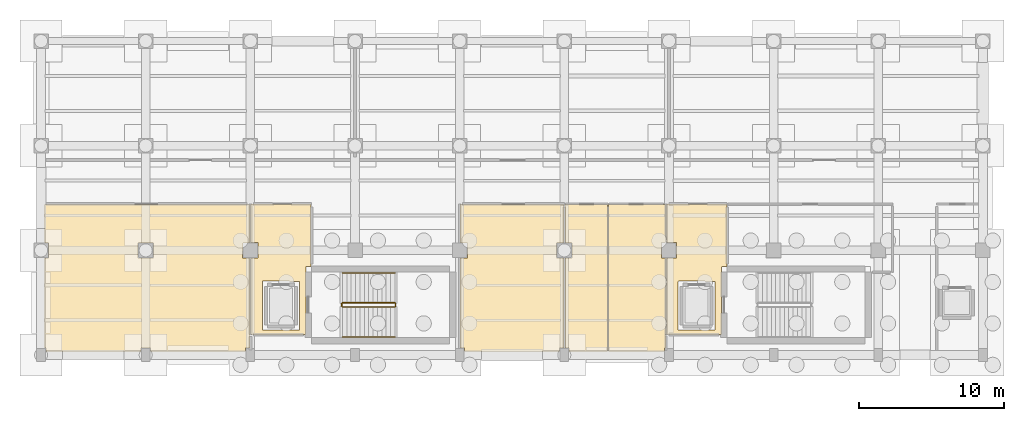
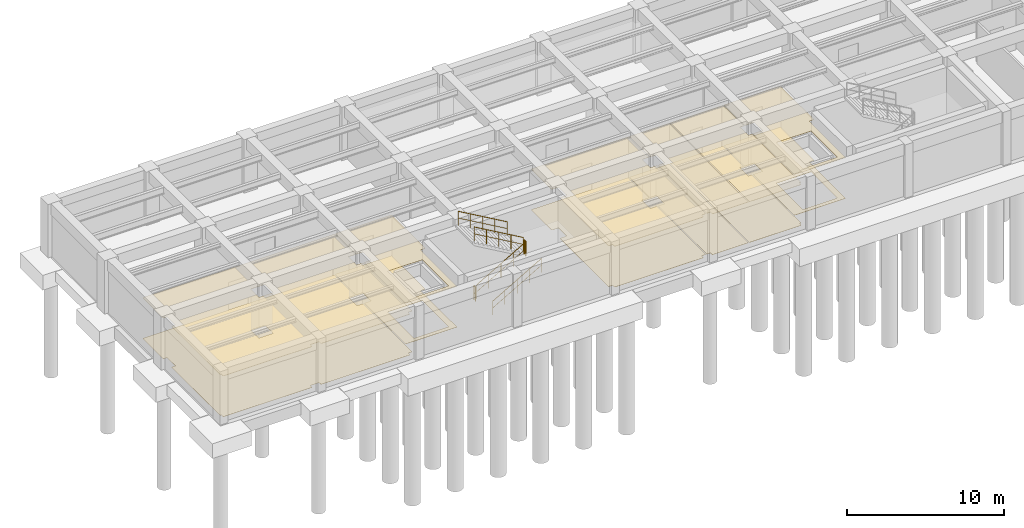
# One storey, part 6 of 8: 12 coverings, 6 railings.
"""IFC4 building model written with IfcOpenShell, lengths in metres."""

from ifc_helpers import new_model, si_unit, direction, frame, origin, origin_2d, place, context, subcontext, project, spatial, polyline, circle, outline, extrude, material, layer, layer_set, type_object, element, save


model = new_model("IFC4")

# Units and contexts
model_context = context("Model", 3, precision=1e-05, world=origin(), true_north=direction((0.0, 1.0)))
body_context = subcontext(model_context, "Body", "Model", "MODEL_VIEW")
ifc_project = project(units=[si_unit("LENGTHUNIT", "METRE"), si_unit("AREAUNIT", "SQUARE_METRE"), si_unit("VOLUMEUNIT", "CUBIC_METRE"), si_unit("PLANEANGLEUNIT", "RADIAN"), si_unit("MASSUNIT", "GRAM", prefix="KILO")], contexts=[model_context])

# Site, building, storey
site_placement = place(None, origin())
site = spatial("IfcSite", under=ifc_project, at=site_placement, CompositionType="ELEMENT")
building_placement = place(site_placement, origin())
building = spatial("IfcBuilding", under=site, at=building_placement, Name="Solenvale Faculty of Natural Sciences", CompositionType="ELEMENT")
storey_placement = place(building_placement, frame((0.0, 0.0, -9.0)))
storey = spatial("IfcBuildingStorey", under=building, at=storey_placement, Name="B02", CompositionType="ELEMENT", Elevation=-9.0)

# Coverings
ifc_material_1 = material(Name="Acoustic mineral-timber ceiling", Category="wood")
ifc_layer_1 = layer(ifc_material_1, 0.02490234375)
ifc_layer_set_1 = layer_set([ifc_layer_1], Name="Acoustic mineral-timber ceiling")
covering_type_1 = type_object("IfcCoveringType", Name="COV-CEIL-AC25", PredefinedType="CEILING", material=ifc_layer_set_1)
covering_1_placement = place(storey_placement, frame((0.0, 0.0, 3.1650390625)))
element("IfcCovering", 1, at=covering_1_placement, inside=storey, type_object=covering_type_1, Name="B02 Firefighting Lobby C4 Acoustic Ceiling", PredefinedType="CEILING", context=body_context, shape_type="SweptSolid", body=[
    extrude(outline(polyline([(104.949951171875, 103.97998046875), (104.970947265625, 103.970947265625), (104.97998046875, 103.949951171875), (104.97998046875, 99.7099609375), (104.9560546875, 99.680908203125), (104.64794921875, 99.679931640625), (104.6201171875, 99.652099609375), (104.617919921875, 95.0390625), (104.590087890625, 95.02001953125), (100.839111328125, 95.02197265625), (100.820068359375, 95.050048828125), (100.820068359375, 100.248046875), (100.846923828125, 100.27490234375), (101.323974609375, 100.280029296875), (101.324951171875, 101.31396484375), (101.31396484375, 101.324951171875), (100.846923828125, 101.324951171875), (100.821044921875, 101.34912109375), (100.822021484375, 103.9609375), (100.85009765625, 103.97998046875), (104.949951171875, 103.97998046875)]), holes=[polyline([(101.6201171875, 95.347900390625), (101.6298828125, 95.327880859375), (101.64990234375, 95.320068359375), (104.14990234375, 95.320068359375), (104.174072265625, 95.33203125), (104.179931640625, 98.64990234375), (104.16796875, 98.674072265625), (101.64990234375, 98.679931640625), (101.6259765625, 98.66796875), (101.6201171875, 95.347900390625)])]), origin(), (0.0, 0.0, 1.0), 0.02490234375),
])
covering_2_placement = place(storey_placement, frame((0.0, 0.0, 3.1650390625)))
element("IfcCovering", 2, at=covering_2_placement, inside=storey, type_object=covering_type_1, Name="B02 Firefighting Lobby C5 Acoustic Ceiling", PredefinedType="CEILING", context=body_context, shape_type="SweptSolid", body=[
    extrude(outline(polyline([(133.550048828125, 103.97998046875), (133.571044921875, 103.970947265625), (133.580078125, 103.949951171875), (133.580078125, 99.7099609375), (133.555908203125, 99.680908203125), (133.248046875, 99.679931640625), (133.219970703125, 99.652099609375), (133.218017578125, 95.0390625), (133.18994140625, 95.02001953125), (129.43896484375, 95.02197265625), (129.419921875, 95.050048828125), (129.419921875, 100.248046875), (129.449951171875, 100.27490234375), (130.123046875, 100.279052734375), (130.125, 101.31396484375), (130.114013671875, 101.324951171875), (129.449951171875, 101.324951171875), (129.4208984375, 101.345947265625), (129.422119140625, 103.9609375), (129.449951171875, 103.97998046875), (133.550048828125, 103.97998046875)]), holes=[polyline([(130.219970703125, 95.347900390625), (130.22998046875, 95.327880859375), (130.25, 95.320068359375), (132.75, 95.320068359375), (132.77392578125, 95.33203125), (132.780029296875, 98.64990234375), (132.76806640625, 98.674072265625), (130.25, 98.679931640625), (130.22607421875, 98.66796875), (130.219970703125, 95.347900390625)])]), origin(), (0.0, 0.0, 1.0), 0.02490234375),
])
covering_3_placement = place(storey_placement, frame((0.0, 0.0, 3.1650390625)))
element("IfcCovering", 3, at=covering_3_placement, inside=storey, type_object=covering_type_1, Name="B02 Vibration-Isolated Microscopy Laboratory Acoustic Ceiling", PredefinedType="CEILING", context=body_context, shape_type="SweptSolid", body=[
    extrude(outline(polyline([(86.639892578125, 100.2451171875), (86.6669921875, 100.27490234375), (86.9140625, 100.27490234375), (86.925048828125, 100.285888671875), (86.925048828125, 101.318115234375), (86.6669921875, 101.324951171875), (86.639892578125, 101.35205078125), (86.639892578125, 103.929931640625), (86.660888671875, 103.958984375), (100.740966796875, 103.9580078125), (100.760009765625, 103.929931640625), (100.760009765625, 101.35205078125), (100.73291015625, 101.324951171875), (100.27587890625, 101.319091796875), (100.27490234375, 100.285888671875), (100.285888671875, 100.27490234375), (100.73291015625, 100.27490234375), (100.760009765625, 100.248046875), (100.760009765625, 95.0), (100.780029296875, 94.950927734375), (100.778076171875, 94.093994140625), (100.7529296875, 94.074951171875), (100.47900390625, 94.072998046875), (100.47509765625, 93.866943359375), (100.445068359375, 93.840087890625), (93.955078125, 93.840087890625), (93.926025390625, 93.864013671875), (93.925048828125, 94.06591796875), (93.9140625, 94.074951171875), (93.281982421875, 94.074951171875), (93.27392578125, 93.864013671875), (93.2451171875, 93.840087890625), (86.743896484375, 93.842041015625), (86.72509765625, 93.866943359375), (86.72412109375, 94.069091796875), (86.658935546875, 94.076904296875), (86.639892578125, 94.10498046875), (86.639892578125, 100.2451171875)]), holes=[polyline([(94.114013671875, 100.27490234375), (94.125, 100.285888671875), (94.1220703125, 101.322021484375), (93.077880859375, 101.322021484375), (93.077880859375, 100.278076171875), (94.114013671875, 100.27490234375)])]), origin(), (0.0, 0.0, 1.0), 0.02490234375),
])
covering_4_placement = place(storey_placement, frame((0.0, 0.0, 3.1650390625)))
element("IfcCovering", 4, at=covering_4_placement, inside=storey, type_object=covering_type_1, Name="B02 Cryogenic and Isotope Specimen Store Acoustic Ceiling", PredefinedType="CEILING", context=body_context, shape_type="SweptSolid", body=[
    extrude(outline(polyline([(115.219970703125, 100.2451171875), (115.2470703125, 100.27490234375), (115.714111328125, 100.27490234375), (115.72509765625, 100.285888671875), (115.72412109375, 101.320068359375), (115.2470703125, 101.324951171875), (115.219970703125, 101.35205078125), (115.219970703125, 103.929931640625), (115.236083984375, 103.9560546875), (122.368896484375, 103.952880859375), (122.3798828125, 103.929931640625), (122.3798828125, 101.35205078125), (122.35302734375, 101.324951171875), (121.8759765625, 101.320068359375), (121.875, 100.285888671875), (121.885986328125, 100.27490234375), (122.35302734375, 100.27490234375), (122.3798828125, 100.248046875), (122.373046875, 94.0859375), (122.35009765625, 94.074951171875), (122.0791015625, 94.072998046875), (122.074951171875, 93.866943359375), (122.044921875, 93.840087890625), (115.554931640625, 93.840087890625), (115.52490234375, 93.866943359375), (115.52099609375, 94.072998046875), (115.23095703125, 94.08203125), (115.219970703125, 94.10498046875), (115.219970703125, 100.2451171875)])), origin(), (0.0, 0.0, 1.0), 0.02490234375),
])
covering_5_placement = place(storey_placement, frame((0.0, 0.0, 3.1650390625)))
element("IfcCovering", 5, at=covering_5_placement, inside=storey, type_object=covering_type_1, Name="B02 Staff Washroom Acoustic Ceiling", PredefinedType="CEILING", context=body_context, shape_type="SweptSolid", body=[
    extrude(outline(polyline([(122.43994140625, 100.2451171875), (122.467041015625, 100.27490234375), (122.9140625, 100.27490234375), (122.925048828125, 100.285888671875), (122.924072265625, 101.319091796875), (122.467041015625, 101.324951171875), (122.43994140625, 101.35205078125), (122.447021484375, 103.948974609375), (122.469970703125, 103.9599609375), (125.368896484375, 103.952880859375), (125.3798828125, 103.929931640625), (125.3798828125, 93.8701171875), (125.361083984375, 93.842041015625), (122.751953125, 93.840087890625), (122.72509765625, 93.866943359375), (122.720947265625, 94.072998046875), (122.467041015625, 94.074951171875), (122.44189453125, 94.093994140625), (122.43994140625, 100.2451171875)])), origin(), (0.0, 0.0, 1.0), 0.02490234375),
])
covering_6_placement = place(storey_placement, frame((0.0, 0.0, 3.1650390625)))
element("IfcCovering", 6, at=covering_6_placement, inside=storey, type_object=covering_type_1, Name="B02 Accessible Washroom Acoustic Ceiling", PredefinedType="CEILING", context=body_context, shape_type="SweptSolid", body=[
    extrude(outline(polyline([(125.43994140625, 103.929931640625), (125.448974609375, 103.950927734375), (125.469970703125, 103.9599609375), (129.330078125, 103.9599609375), (129.35791015625, 103.94091796875), (129.360107421875, 101.35205078125), (129.3330078125, 101.324951171875), (129.0859375, 101.324951171875), (129.074951171875, 101.31396484375), (129.074951171875, 100.281982421875), (129.3330078125, 100.27490234375), (129.360107421875, 100.2451171875), (129.360107421875, 95.0), (129.3798828125, 94.950927734375), (129.3798828125, 94.10498046875), (129.35888671875, 94.075927734375), (129.27587890625, 94.069091796875), (129.27490234375, 93.866943359375), (129.256103515625, 93.842041015625), (125.469970703125, 93.840087890625), (125.44189453125, 93.85888671875), (125.43994140625, 103.929931640625)])), origin(), (0.0, 0.0, 1.0), 0.02490234375),
])
ifc_material_2 = material(Name="Polished slate terrazzo flooring", Category="masonry")
ifc_layer_2 = layer(ifc_material_2, 0.01806640625)
ifc_layer_set_2 = layer_set([ifc_layer_2], Name="Polished slate terrazzo flooring")
covering_type_2 = type_object("IfcCoveringType", Name="COV-FLR-TRZ18", PredefinedType="FLOORING", material=ifc_layer_set_2)
covering_7_placement = place(storey_placement, origin())
element("IfcCovering", 7, at=covering_7_placement, inside=storey, type_object=covering_type_2, Name="B02 Firefighting Lobby C4 Floor Finish", PredefinedType="FLOORING", context=body_context, shape_type="SweptSolid", body=[
    extrude(outline(polyline([(104.949951171875, 103.97998046875), (104.970947265625, 103.970947265625), (104.97998046875, 103.949951171875), (104.97998046875, 99.7099609375), (104.9560546875, 99.680908203125), (104.64794921875, 99.679931640625), (104.6201171875, 99.652099609375), (104.617919921875, 95.0390625), (104.590087890625, 95.02001953125), (100.839111328125, 95.02197265625), (100.820068359375, 95.050048828125), (100.820068359375, 100.248046875), (100.846923828125, 100.27490234375), (101.323974609375, 100.280029296875), (101.324951171875, 101.31396484375), (101.31396484375, 101.324951171875), (100.846923828125, 101.324951171875), (100.821044921875, 101.34912109375), (100.822021484375, 103.9609375), (100.85009765625, 103.97998046875), (104.949951171875, 103.97998046875)]), holes=[polyline([(101.6201171875, 95.347900390625), (101.6298828125, 95.327880859375), (101.64990234375, 95.320068359375), (104.14990234375, 95.320068359375), (104.174072265625, 95.33203125), (104.179931640625, 98.64990234375), (104.16796875, 98.674072265625), (101.64990234375, 98.679931640625), (101.6259765625, 98.66796875), (101.6201171875, 95.347900390625)])]), origin(), (0.0, 0.0, 1.0), 0.01806640625),
])
covering_8_placement = place(storey_placement, origin())
element("IfcCovering", 8, at=covering_8_placement, inside=storey, type_object=covering_type_2, Name="B02 Firefighting Lobby C5 Floor Finish", PredefinedType="FLOORING", context=body_context, shape_type="SweptSolid", body=[
    extrude(outline(polyline([(133.550048828125, 103.97998046875), (133.571044921875, 103.970947265625), (133.580078125, 103.949951171875), (133.580078125, 99.7099609375), (133.555908203125, 99.680908203125), (133.248046875, 99.679931640625), (133.219970703125, 99.652099609375), (133.218017578125, 95.0390625), (133.18994140625, 95.02001953125), (129.43896484375, 95.02197265625), (129.419921875, 95.050048828125), (129.419921875, 100.248046875), (129.449951171875, 100.27490234375), (130.123046875, 100.279052734375), (130.125, 101.31396484375), (130.114013671875, 101.324951171875), (129.449951171875, 101.324951171875), (129.4208984375, 101.345947265625), (129.422119140625, 103.9609375), (129.449951171875, 103.97998046875), (133.550048828125, 103.97998046875)]), holes=[polyline([(130.219970703125, 95.347900390625), (130.22998046875, 95.327880859375), (130.25, 95.320068359375), (132.75, 95.320068359375), (132.77392578125, 95.33203125), (132.780029296875, 98.64990234375), (132.76806640625, 98.674072265625), (130.25, 98.679931640625), (130.22607421875, 98.66796875), (130.219970703125, 95.347900390625)])]), origin(), (0.0, 0.0, 1.0), 0.01806640625),
])
covering_9_placement = place(storey_placement, origin())
element("IfcCovering", 9, at=covering_9_placement, inside=storey, type_object=covering_type_2, Name="B02 Cryogenic and Isotope Specimen Store Floor Finish", PredefinedType="FLOORING", context=body_context, shape_type="SweptSolid", body=[
    extrude(outline(polyline([(115.219970703125, 100.2451171875), (115.2470703125, 100.27490234375), (115.714111328125, 100.27490234375), (115.72509765625, 100.285888671875), (115.72412109375, 101.320068359375), (115.2470703125, 101.324951171875), (115.219970703125, 101.35205078125), (115.219970703125, 103.929931640625), (115.236083984375, 103.9560546875), (122.368896484375, 103.952880859375), (122.3798828125, 103.929931640625), (122.3798828125, 101.35205078125), (122.35302734375, 101.324951171875), (121.8759765625, 101.320068359375), (121.875, 100.285888671875), (121.885986328125, 100.27490234375), (122.35302734375, 100.27490234375), (122.3798828125, 100.248046875), (122.373046875, 94.0859375), (122.35009765625, 94.074951171875), (122.0791015625, 94.072998046875), (122.074951171875, 93.866943359375), (122.044921875, 93.840087890625), (115.554931640625, 93.840087890625), (115.52490234375, 93.866943359375), (115.52099609375, 94.072998046875), (115.23095703125, 94.08203125), (115.219970703125, 94.10498046875), (115.219970703125, 100.2451171875)])), origin(), (0.0, 0.0, 1.0), 0.01806640625),
])
covering_10_placement = place(storey_placement, origin())
element("IfcCovering", 10, at=covering_10_placement, inside=storey, type_object=covering_type_2, Name="B02 Staff Washroom Floor Finish", PredefinedType="FLOORING", context=body_context, shape_type="SweptSolid", body=[
    extrude(outline(polyline([(122.43994140625, 100.2451171875), (122.467041015625, 100.27490234375), (122.9140625, 100.27490234375), (122.925048828125, 100.285888671875), (122.924072265625, 101.319091796875), (122.467041015625, 101.324951171875), (122.43994140625, 101.35205078125), (122.447021484375, 103.948974609375), (122.469970703125, 103.9599609375), (125.368896484375, 103.952880859375), (125.3798828125, 103.929931640625), (125.3798828125, 93.8701171875), (125.361083984375, 93.842041015625), (122.751953125, 93.840087890625), (122.72509765625, 93.866943359375), (122.720947265625, 94.072998046875), (122.467041015625, 94.074951171875), (122.44189453125, 94.093994140625), (122.43994140625, 100.2451171875)])), origin(), (0.0, 0.0, 1.0), 0.01806640625),
])
covering_11_placement = place(storey_placement, origin())
element("IfcCovering", 11, at=covering_11_placement, inside=storey, type_object=covering_type_2, Name="B02 Accessible Washroom Floor Finish", PredefinedType="FLOORING", context=body_context, shape_type="SweptSolid", body=[
    extrude(outline(polyline([(125.43994140625, 103.929931640625), (125.448974609375, 103.950927734375), (125.469970703125, 103.9599609375), (129.330078125, 103.9599609375), (129.35791015625, 103.94091796875), (129.360107421875, 101.35205078125), (129.3330078125, 101.324951171875), (129.0859375, 101.324951171875), (129.074951171875, 101.31396484375), (129.074951171875, 100.281982421875), (129.3330078125, 100.27490234375), (129.360107421875, 100.2451171875), (129.360107421875, 95.0), (129.3798828125, 94.950927734375), (129.3798828125, 94.10498046875), (129.35888671875, 94.075927734375), (129.27587890625, 94.069091796875), (129.27490234375, 93.866943359375), (129.256103515625, 93.842041015625), (125.469970703125, 93.840087890625), (125.44189453125, 93.85888671875), (125.43994140625, 103.929931640625)])), origin(), (0.0, 0.0, 1.0), 0.01806640625),
])
ifc_material_3 = material(Name="Seamless laboratory vinyl flooring")
ifc_layer_3 = layer(ifc_material_3, 0.008056640625)
ifc_layer_set_3 = layer_set([ifc_layer_3], Name="Seamless laboratory vinyl flooring")
covering_type_3 = type_object("IfcCoveringType", Name="COV-FLR-VNL08", PredefinedType="FLOORING", material=ifc_layer_set_3)
covering_12_placement = place(storey_placement, origin())
element("IfcCovering", 12, at=covering_12_placement, inside=storey, type_object=covering_type_3, Name="B02 Vibration-Isolated Microscopy Laboratory Floor Finish", PredefinedType="FLOORING", context=body_context, shape_type="SweptSolid", body=[
    extrude(outline(polyline([(86.639892578125, 100.2451171875), (86.6669921875, 100.27490234375), (86.9140625, 100.27490234375), (86.925048828125, 100.285888671875), (86.925048828125, 101.318115234375), (86.6669921875, 101.324951171875), (86.639892578125, 101.35205078125), (86.639892578125, 103.929931640625), (86.660888671875, 103.958984375), (100.740966796875, 103.9580078125), (100.760009765625, 103.929931640625), (100.760009765625, 101.35205078125), (100.73291015625, 101.324951171875), (100.27587890625, 101.319091796875), (100.27490234375, 100.285888671875), (100.285888671875, 100.27490234375), (100.73291015625, 100.27490234375), (100.760009765625, 100.248046875), (100.760009765625, 95.0), (100.780029296875, 94.950927734375), (100.778076171875, 94.093994140625), (100.7529296875, 94.074951171875), (100.47900390625, 94.072998046875), (100.47509765625, 93.866943359375), (100.445068359375, 93.840087890625), (93.955078125, 93.840087890625), (93.926025390625, 93.864013671875), (93.925048828125, 94.06591796875), (93.9140625, 94.074951171875), (93.281982421875, 94.074951171875), (93.27392578125, 93.864013671875), (93.2451171875, 93.840087890625), (86.743896484375, 93.842041015625), (86.72509765625, 93.866943359375), (86.72412109375, 94.069091796875), (86.658935546875, 94.076904296875), (86.639892578125, 94.10498046875), (86.639892578125, 100.2451171875)]), holes=[polyline([(94.114013671875, 100.27490234375), (94.125, 100.285888671875), (94.1220703125, 101.322021484375), (93.077880859375, 101.322021484375), (93.077880859375, 100.278076171875), (94.114013671875, 100.27490234375)])]), origin(), (0.0, 0.0, 1.0), 0.008056640625),
])

# Railings
ifc_material_4 = material(Name="Stainless steel Grade 304", Category="steel")
railing_type_1 = type_object("IfcRailingType", Name="RL-GRD-1100", PredefinedType="GUARDRAIL", material=ifc_material_4)
railing_1_placement = place(storey_placement, frame((107.139892578125, 96.89990234375, 0.173095703125)))
element("IfcRailing", 13, at=railing_1_placement, inside=storey, type_object=railing_type_1, Name="B02 ST-04 stair guard 1", PredefinedType="GUARDRAIL", context=body_context, shape_type="SweptSolid", body=[
    extrude(circle(Radius=0.02392578125, at=origin_2d()), frame((0.0, 0.0, 1.09619140625), z_axis=(0.866193409371, 0.0, 0.499708892819), x_axis=(0.0, 1.0, 0.0)), (0.0, 0.0, 1.0), 4.15625),
    extrude(circle(Radius=0.01611328125, at=origin_2d()), frame((0.0, 0.0, 0.56005859375), z_axis=(0.866193409371, 0.0, 0.499708892819), x_axis=(0.0, 1.0, 0.0)), (0.0, 0.0, 1.0), 4.15625),
    extrude(circle(Radius=0.02099609375, at=origin_2d()), origin(), (0.0, 0.0, 1.0), 1.072021484375),
    extrude(circle(Radius=0.02099609375, at=origin_2d()), frame((0.89990234375, 0.0, 0.519287109375)), (0.0, 0.0, 1.0), 1.072021484375),
    extrude(circle(Radius=0.02099609375, at=origin_2d()), frame((1.800048828125, 0.0, 1.03857421875)), (0.0, 0.0, 1.0), 1.072021484375),
    extrude(circle(Radius=0.02099609375, at=origin_2d()), frame((2.7001953125, 0.0, 1.5576171875)), (0.0, 0.0, 1.0), 1.072021484375),
    extrude(circle(Radius=0.02099609375, at=origin_2d()), frame((3.60009765625, 0.0, 2.076904296875)), (0.0, 0.0, 1.0), 1.072021484375),
])
railing_2_placement = place(storey_placement, frame((110.7900390625, 96.949951171875, 2.25)))
element("IfcRailing", 14, at=railing_2_placement, inside=storey, type_object=railing_type_1, Name="B02 ST-04 stair guard 2", PredefinedType="GUARDRAIL", context=body_context, shape_type="SweptSolid", body=[
    extrude(circle(Radius=0.02392578125, at=origin_2d()), frame((0.0, 0.0, 1.09619140625), z_axis=(0.0, 1.0, 0.0), x_axis=(-1.0, 0.0, 0.0)), (0.0, 0.0, 1.0), 0.199951171875),
    extrude(circle(Radius=0.01611328125, at=origin_2d()), frame((0.0, 0.0, 0.56005859375), z_axis=(0.0, 1.0, 0.0), x_axis=(-1.0, 0.0, 0.0)), (0.0, 0.0, 1.0), 0.199951171875),
    extrude(circle(Radius=0.02099609375, at=origin_2d()), origin(), (0.0, 0.0, 1.0), 1.072021484375),
    extrude(circle(Radius=0.02099609375, at=origin_2d()), frame((0.0, 0.199951171875, 0.0)), (0.0, 0.0, 1.0), 1.072021484375),
])
railing_3_placement = place(storey_placement, frame((110.739990234375, 97.199951171875, 2.423095703125)))
element("IfcRailing", 15, at=railing_3_placement, inside=storey, type_object=railing_type_1, Name="B02 ST-04 stair guard 3", PredefinedType="GUARDRAIL", context=body_context, shape_type="SweptSolid", body=[
    extrude(circle(Radius=0.02392578125, at=origin_2d()), frame((0.0, 0.0, 1.09619140625), z_axis=(-0.866193409371, 0.0, 0.499708892819), x_axis=(0.0, -1.0, 0.0)), (0.0, 0.0, 1.0), 4.15625),
    extrude(circle(Radius=0.01611328125, at=origin_2d()), frame((0.0, 0.0, 0.56005859375), z_axis=(-0.866193409371, 0.0, 0.499708892819), x_axis=(0.0, -1.0, 0.0)), (0.0, 0.0, 1.0), 4.15625),
    extrude(circle(Radius=0.02099609375, at=origin_2d()), origin(), (0.0, 0.0, 1.0), 1.072021484375),
    extrude(circle(Radius=0.02099609375, at=origin_2d()), frame((-0.89990234375, 0.0, 0.519287109375)), (0.0, 0.0, 1.0), 1.072021484375),
    extrude(circle(Radius=0.02099609375, at=origin_2d()), frame((-1.800048828125, 0.0, 1.03857421875)), (0.0, 0.0, 1.0), 1.072021484375),
    extrude(circle(Radius=0.02099609375, at=origin_2d()), frame((-2.7001953125, 0.0, 1.5576171875)), (0.0, 0.0, 1.0), 1.072021484375),
    extrude(circle(Radius=0.02099609375, at=origin_2d()), frame((-3.60009765625, 0.0, 2.076904296875)), (0.0, 0.0, 1.0), 1.072021484375),
])
railing_4_placement = place(storey_placement, frame((107.090087890625, 96.949951171875, 0.0)))
element("IfcRailing", 16, at=railing_4_placement, inside=storey, type_object=railing_type_1, Name="B02 ST-04 stair guard 4", PredefinedType="GUARDRAIL", context=body_context, shape_type="SweptSolid", body=[
    extrude(circle(Radius=0.02392578125, at=origin_2d()), frame((0.0, 0.0, 1.09619140625), z_axis=(0.0, 1.0, 0.0), x_axis=(-1.0, 0.0, 0.0)), (0.0, 0.0, 1.0), 0.199951171875),
    extrude(circle(Radius=0.01611328125, at=origin_2d()), frame((0.0, 0.0, 0.56005859375), z_axis=(0.0, 1.0, 0.0), x_axis=(-1.0, 0.0, 0.0)), (0.0, 0.0, 1.0), 0.199951171875),
    extrude(circle(Radius=0.02099609375, at=origin_2d()), origin(), (0.0, 0.0, 1.0), 1.072021484375),
    extrude(circle(Radius=0.02099609375, at=origin_2d()), frame((0.0, 0.199951171875, 0.0)), (0.0, 0.0, 1.0), 1.072021484375),
])
railing_type_2 = type_object("IfcRailingType", Name="RL-HND-900", PredefinedType="HANDRAIL", material=ifc_material_4)
railing_5_placement = place(storey_placement, frame((107.139892578125, 94.85009765625, 0.173095703125)))
element("IfcRailing", 17, at=railing_5_placement, inside=storey, type_object=railing_type_2, Name="B02 ST-04 stair handrail 1", PredefinedType="HANDRAIL", context=body_context, shape_type="SweptSolid", body=[
    extrude(circle(Radius=0.02392578125, at=origin_2d()), frame((0.0, 0.0, 1.0732421875), z_axis=(0.866193409371, 0.0, 0.499708892819), x_axis=(0.0, 1.0, 0.0)), (0.0, 0.0, 1.0), 4.15625),
    extrude(circle(Radius=0.01611328125, at=origin_2d()), frame((0.0, 0.0, 0.548583984375), z_axis=(0.866193409371, 0.0, 0.499708892819), x_axis=(0.0, 1.0, 0.0)), (0.0, 0.0, 1.0), 4.15625),
    extrude(circle(Radius=0.02099609375, at=origin_2d()), origin(), (0.0, 0.0, 1.0), 1.049072265625),
    extrude(circle(Radius=0.02099609375, at=origin_2d()), frame((0.89990234375, 0.0, 0.519287109375)), (0.0, 0.0, 1.0), 1.049072265625),
    extrude(circle(Radius=0.02099609375, at=origin_2d()), frame((1.800048828125, 0.0, 1.03857421875)), (0.0, 0.0, 1.0), 1.049072265625),
    extrude(circle(Radius=0.02099609375, at=origin_2d()), frame((2.7001953125, 0.0, 1.5576171875)), (0.0, 0.0, 1.0), 1.049072265625),
    extrude(circle(Radius=0.02099609375, at=origin_2d()), frame((3.60009765625, 0.0, 2.076904296875)), (0.0, 0.0, 1.0), 1.049072265625),
])
railing_6_placement = place(storey_placement, frame((110.739990234375, 99.25, 2.423095703125)))
element("IfcRailing", 18, at=railing_6_placement, inside=storey, type_object=railing_type_2, Name="B02 ST-04 stair handrail 2", PredefinedType="HANDRAIL", context=body_context, shape_type="SweptSolid", body=[
    extrude(circle(Radius=0.02392578125, at=origin_2d()), frame((0.0, 0.0, 1.0732421875), z_axis=(-0.866193409371, 0.0, 0.499708892819), x_axis=(0.0, -1.0, 0.0)), (0.0, 0.0, 1.0), 4.15625),
    extrude(circle(Radius=0.01611328125, at=origin_2d()), frame((0.0, 0.0, 0.548583984375), z_axis=(-0.866193409371, 0.0, 0.499708892819), x_axis=(0.0, -1.0, 0.0)), (0.0, 0.0, 1.0), 4.15625),
    extrude(circle(Radius=0.02099609375, at=origin_2d()), origin(), (0.0, 0.0, 1.0), 1.049072265625),
    extrude(circle(Radius=0.02099609375, at=origin_2d()), frame((-0.89990234375, 0.0, 0.519287109375)), (0.0, 0.0, 1.0), 1.049072265625),
    extrude(circle(Radius=0.02099609375, at=origin_2d()), frame((-1.800048828125, 0.0, 1.03857421875)), (0.0, 0.0, 1.0), 1.049072265625),
    extrude(circle(Radius=0.02099609375, at=origin_2d()), frame((-2.7001953125, 0.0, 1.5576171875)), (0.0, 0.0, 1.0), 1.049072265625),
    extrude(circle(Radius=0.02099609375, at=origin_2d()), frame((-3.60009765625, 0.0, 2.076904296875)), (0.0, 0.0, 1.0), 1.049072265625),
])

save(model, "model.ifc")
